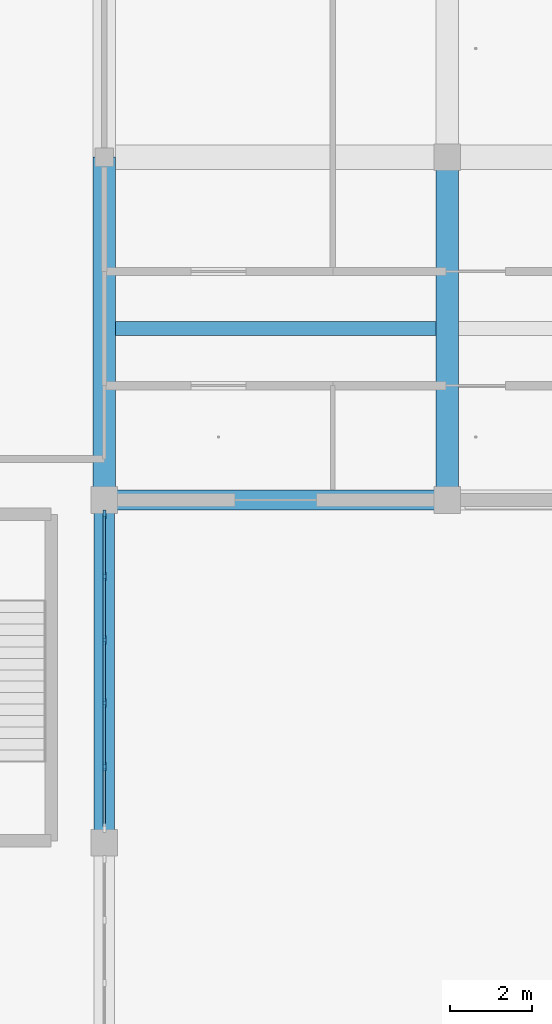
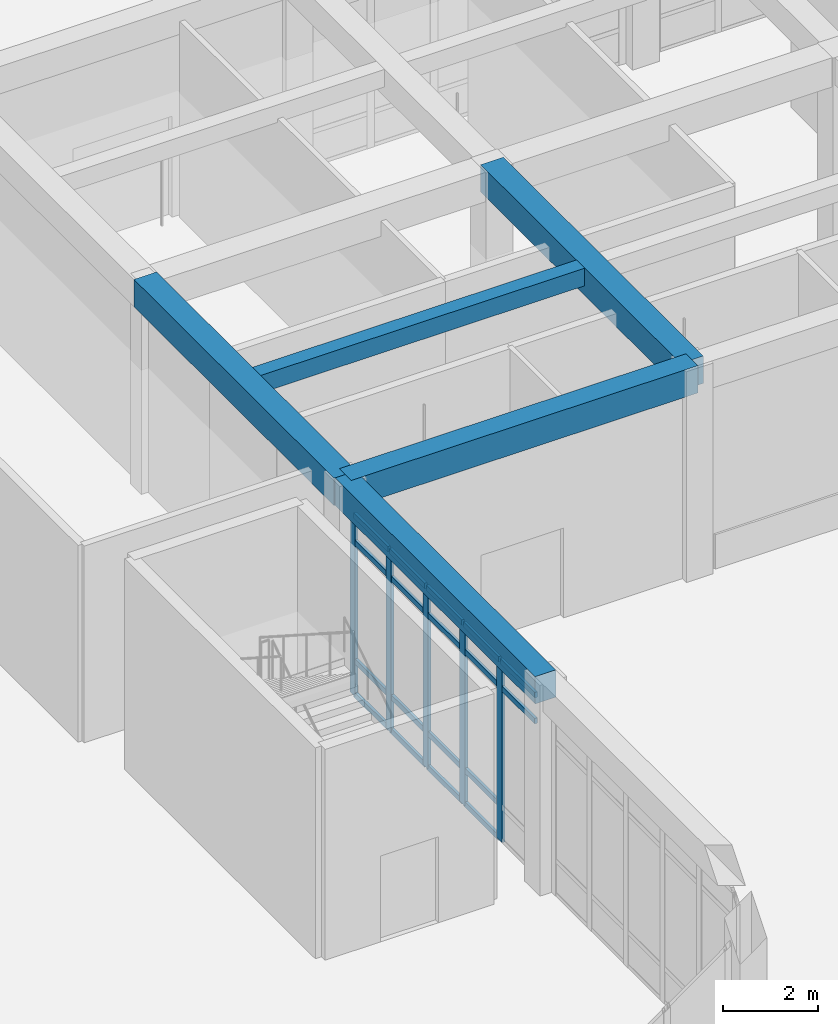
# One storey, part 20 of 167: 23 members, 5 beams, 1 element without a shape of its own.
"""IFC4 building model written with IfcOpenShell, lengths in metres."""

from ifc_helpers import new_model, si_unit, direction, frame, origin, origin_2d, place, context, subcontext, project, spatial, rectangle, extrude, material, material_profile, profile_set, type_object, element, aggregate, save


model = new_model("IFC4")

# Units and contexts
model_context = context("Model", 3, precision=1e-05, world=origin(), true_north=direction((0.0, 1.0)))
body_context = subcontext(model_context, "Body", "Model", "MODEL_VIEW")
ifc_project = project(units=[si_unit("LENGTHUNIT", "METRE"), si_unit("AREAUNIT", "SQUARE_METRE"), si_unit("VOLUMEUNIT", "CUBIC_METRE"), si_unit("PLANEANGLEUNIT", "RADIAN"), si_unit("MASSUNIT", "GRAM", prefix="KILO")], contexts=[model_context])

# Site, building, storey
site_placement = place(None, origin())
site = spatial("IfcSite", under=ifc_project, at=site_placement, CompositionType="ELEMENT")
building_placement = place(site_placement, origin())
building = spatial("IfcBuilding", under=site, at=building_placement, Name="Varncliffe General Hospital", CompositionType="ELEMENT")
storey_placement = place(building_placement, origin())
storey = spatial("IfcBuildingStorey", under=building, at=storey_placement, Name="L00", CompositionType="ELEMENT", Elevation=0.0)

# Beams
ifc_material_1 = material(Name="Concrete C35/45 (CSA A23.1 35 MPa)", Category="concrete")
ifc_material_profile_1 = material_profile(ifc_material_1, rectangle(XDim=0.550048828125, YDim=0.699951171875, at=origin_2d()), Name="RC 550x700")
ifc_profile_set_1 = profile_set([ifc_material_profile_1], Name="Concrete C35/45 (CSA A23.1 35 MPa)")
beam_type_1 = type_object("IfcBeamType", Name="Beam B35 (Int RC 550x700)", PredefinedType="BEAM", material=ifc_profile_set_1)
for number, where, z_axis, x_axis, name in (
    (1, (117.60009765625, 24.0, 5.050048828125), (0.0, 1.0, 0.0), (-1.0, 0.0, 0.0), "L00 Primary Beam B35-418"),
    (2, (126.0, 24.0, 5.050048828125), (0.0, 1.0, 0.0), (-1.0, 0.0, 0.0), "L00 Primary Beam B35-432"),
):
    element("IfcBeam", number, at=place(storey_placement, frame(where, z_axis=z_axis, x_axis=x_axis)), inside=storey, type_object=beam_type_1, Name=name, PredefinedType="BEAM", context=body_context, shape_type="SweptSolid", body=[
        extrude(rectangle(XDim=0.550048828125, YDim=0.699951171875, at=origin_2d()), origin(), (0.0, 0.0, 1.0), 8.39990234375),
    ])

# Curtain wall, members
ifc_material_2 = material(Name="Triple low-E argon insulated vision glazing", Category="glass")
curtain_wall_type = type_object("IfcCurtainWallType", Name="Unitised Glazed Curtain Wall CW66 (7754x4640)", PredefinedType="USERDEFINED", material=ifc_material_2)
curtain_wall_placement = place(storey_placement, origin())
curtain_wall = element("IfcCurtainWall", 3, at=curtain_wall_placement, inside=storey, type_object=curtain_wall_type, Name="L00 Glazed Curtain Wall CW66-6", ObjectType="GLAZED CURTAIN WALL", PredefinedType="USERDEFINED")
ifc_material_3 = material(Name="Dark bronze thermally broken aluminium framing", Category="aluminium")
ifc_material_profile_2 = material_profile(ifc_material_3, rectangle(XDim=0.074951171875, YDim=0.219970703125, at=origin_2d()), Name="ALU 75x220")
ifc_profile_set_2 = profile_set([ifc_material_profile_2], Name="Dark bronze thermally broken aluminium framing")
member_type_1 = type_object("IfcMemberType", Name="Curtain Wall Mullion CM74 (ALU 75x220)", PredefinedType="MULLION", material=ifc_profile_set_2)
member_1_placement = place(storey_placement, frame((117.60009765625, 23.639404296875, 0.0), z_axis=(0.0, 0.0, 1.0), x_axis=(1.0, 0.0, 0.0)))
member_1 = element("IfcMember", 4, at=member_1_placement, type_object=member_type_1, Name="CW66 mullion 1", PredefinedType="MULLION", context=body_context, shape_type="SweptSolid", body=[
    extrude(rectangle(XDim=0.074951171875, YDim=0.219970703125, at=origin_2d()), origin(), (0.0, 0.0, 1.0), 4.639892578125),
])
member_2_placement = place(storey_placement, frame((117.60009765625, 22.126220703125, 0.0), z_axis=(0.0, 0.0, 1.0), x_axis=(1.0, 0.0, 0.0)))
member_2 = element("IfcMember", 5, at=member_2_placement, type_object=member_type_1, Name="CW66 mullion 2", PredefinedType="MULLION", context=body_context, shape_type="SweptSolid", body=[
    extrude(rectangle(XDim=0.074951171875, YDim=0.219970703125, at=origin_2d()), origin(), (0.0, 0.0, 1.0), 4.639892578125),
])
member_3_placement = place(storey_placement, frame((117.60009765625, 20.575439453125, 0.0), z_axis=(0.0, 0.0, 1.0), x_axis=(1.0, 0.0, 0.0)))
member_3 = element("IfcMember", 6, at=member_3_placement, type_object=member_type_1, Name="CW66 mullion 3", PredefinedType="MULLION", context=body_context, shape_type="SweptSolid", body=[
    extrude(rectangle(XDim=0.074951171875, YDim=0.219970703125, at=origin_2d()), origin(), (0.0, 0.0, 1.0), 4.639892578125),
])
member_4_placement = place(storey_placement, frame((117.60009765625, 19.024658203125, 0.0), z_axis=(0.0, 0.0, 1.0), x_axis=(1.0, 0.0, 0.0)))
member_4 = element("IfcMember", 7, at=member_4_placement, type_object=member_type_1, Name="CW66 mullion 4", PredefinedType="MULLION", context=body_context, shape_type="SweptSolid", body=[
    extrude(rectangle(XDim=0.074951171875, YDim=0.219970703125, at=origin_2d()), origin(), (0.0, 0.0, 1.0), 4.639892578125),
])
member_5_placement = place(storey_placement, frame((117.60009765625, 17.473876953125, 0.0), z_axis=(0.0, 0.0, 1.0), x_axis=(1.0, 0.0, 0.0)))
member_5 = element("IfcMember", 8, at=member_5_placement, type_object=member_type_1, Name="CW66 mullion 5", PredefinedType="MULLION", context=body_context, shape_type="SweptSolid", body=[
    extrude(rectangle(XDim=0.074951171875, YDim=0.219970703125, at=origin_2d()), origin(), (0.0, 0.0, 1.0), 4.639892578125),
])
ifc_material_profile_3 = material_profile(ifc_material_3, rectangle(XDim=0.06494140625, YDim=0.139892578125, at=origin_2d()), Name="ALU 65x140")
ifc_profile_set_3 = profile_set([ifc_material_profile_3], Name="Dark bronze thermally broken aluminium framing")
member_type_2 = type_object("IfcMemberType", Name="Curtain Wall Transom CT69 (ALU 65x140)", PredefinedType="USERDEFINED", material=ifc_profile_set_3)
member_6_placement = place(storey_placement, frame((117.60009765625, 23.60205078125, 0.032470703125), z_axis=(0.0, -1.0, 0.0), x_axis=(1.0, 0.0, 0.0)))
member_6 = element("IfcMember", 9, at=member_6_placement, type_object=member_type_2, Name="CW66 transom 1.1", ObjectType="TRANSOM", PredefinedType="USERDEFINED", context=body_context, shape_type="SweptSolid", body=[
    extrude(rectangle(XDim=0.06494140625, YDim=0.139892578125, at=origin_2d()), origin(), (0.0, 0.0, 1.0), 1.438232421875),
])
member_7_placement = place(storey_placement, frame((117.60009765625, 23.60205078125, 0.89990234375), z_axis=(0.0, -1.0, 0.0), x_axis=(1.0, 0.0, 0.0)))
member_7 = element("IfcMember", 10, at=member_7_placement, type_object=member_type_2, Name="CW66 transom 1.2", ObjectType="TRANSOM", PredefinedType="USERDEFINED", context=body_context, shape_type="SweptSolid", body=[
    extrude(rectangle(XDim=0.06494140625, YDim=0.139892578125, at=origin_2d()), origin(), (0.0, 0.0, 1.0), 1.438232421875),
])
member_8_placement = place(storey_placement, frame((117.60009765625, 23.60205078125, 3.93994140625), z_axis=(0.0, -1.0, 0.0), x_axis=(1.0, 0.0, 0.0)))
member_8 = element("IfcMember", 11, at=member_8_placement, type_object=member_type_2, Name="CW66 transom 1.3", ObjectType="TRANSOM", PredefinedType="USERDEFINED", context=body_context, shape_type="SweptSolid", body=[
    extrude(rectangle(XDim=0.06494140625, YDim=0.139892578125, at=origin_2d()), origin(), (0.0, 0.0, 1.0), 1.438232421875),
])
member_9_placement = place(storey_placement, frame((117.60009765625, 23.60205078125, 4.607421875), z_axis=(0.0, -1.0, 0.0), x_axis=(1.0, 0.0, 0.0)))
member_9 = element("IfcMember", 12, at=member_9_placement, type_object=member_type_2, Name="CW66 transom 1.4", ObjectType="TRANSOM", PredefinedType="USERDEFINED", context=body_context, shape_type="SweptSolid", body=[
    extrude(rectangle(XDim=0.06494140625, YDim=0.139892578125, at=origin_2d()), origin(), (0.0, 0.0, 1.0), 1.438232421875),
])
member_10_placement = place(storey_placement, frame((117.60009765625, 22.088623046875, 0.032470703125), z_axis=(0.0, -1.0, 0.0), x_axis=(1.0, 0.0, 0.0)))
member_10 = element("IfcMember", 13, at=member_10_placement, type_object=member_type_2, Name="CW66 transom 2.1", ObjectType="TRANSOM", PredefinedType="USERDEFINED", context=body_context, shape_type="SweptSolid", body=[
    extrude(rectangle(XDim=0.06494140625, YDim=0.139892578125, at=origin_2d()), origin(), (0.0, 0.0, 1.0), 1.475830078125),
])
member_11_placement = place(storey_placement, frame((117.60009765625, 22.088623046875, 0.89990234375), z_axis=(0.0, -1.0, 0.0), x_axis=(1.0, 0.0, 0.0)))
member_11 = element("IfcMember", 14, at=member_11_placement, type_object=member_type_2, Name="CW66 transom 2.2", ObjectType="TRANSOM", PredefinedType="USERDEFINED", context=body_context, shape_type="SweptSolid", body=[
    extrude(rectangle(XDim=0.06494140625, YDim=0.139892578125, at=origin_2d()), origin(), (0.0, 0.0, 1.0), 1.475830078125),
])
member_12_placement = place(storey_placement, frame((117.60009765625, 22.088623046875, 3.93994140625), z_axis=(0.0, -1.0, 0.0), x_axis=(1.0, 0.0, 0.0)))
member_12 = element("IfcMember", 15, at=member_12_placement, type_object=member_type_2, Name="CW66 transom 2.3", ObjectType="TRANSOM", PredefinedType="USERDEFINED", context=body_context, shape_type="SweptSolid", body=[
    extrude(rectangle(XDim=0.06494140625, YDim=0.139892578125, at=origin_2d()), origin(), (0.0, 0.0, 1.0), 1.475830078125),
])
member_13_placement = place(storey_placement, frame((117.60009765625, 22.088623046875, 4.607421875), z_axis=(0.0, -1.0, 0.0), x_axis=(1.0, 0.0, 0.0)))
member_13 = element("IfcMember", 16, at=member_13_placement, type_object=member_type_2, Name="CW66 transom 2.4", ObjectType="TRANSOM", PredefinedType="USERDEFINED", context=body_context, shape_type="SweptSolid", body=[
    extrude(rectangle(XDim=0.06494140625, YDim=0.139892578125, at=origin_2d()), origin(), (0.0, 0.0, 1.0), 1.475830078125),
])
member_14_placement = place(storey_placement, frame((117.60009765625, 20.537841796875, 0.032470703125), z_axis=(0.0, -1.0, 0.0), x_axis=(1.0, 0.0, 0.0)))
member_14 = element("IfcMember", 17, at=member_14_placement, type_object=member_type_2, Name="CW66 transom 3.1", ObjectType="TRANSOM", PredefinedType="USERDEFINED", context=body_context, shape_type="SweptSolid", body=[
    extrude(rectangle(XDim=0.06494140625, YDim=0.139892578125, at=origin_2d()), origin(), (0.0, 0.0, 1.0), 1.475830078125),
])
member_15_placement = place(storey_placement, frame((117.60009765625, 20.537841796875, 0.89990234375), z_axis=(0.0, -1.0, 0.0), x_axis=(1.0, 0.0, 0.0)))
member_15 = element("IfcMember", 18, at=member_15_placement, type_object=member_type_2, Name="CW66 transom 3.2", ObjectType="TRANSOM", PredefinedType="USERDEFINED", context=body_context, shape_type="SweptSolid", body=[
    extrude(rectangle(XDim=0.06494140625, YDim=0.139892578125, at=origin_2d()), origin(), (0.0, 0.0, 1.0), 1.475830078125),
])
member_16_placement = place(storey_placement, frame((117.60009765625, 20.537841796875, 3.93994140625), z_axis=(0.0, -1.0, 0.0), x_axis=(1.0, 0.0, 0.0)))
member_16 = element("IfcMember", 19, at=member_16_placement, type_object=member_type_2, Name="CW66 transom 3.3", ObjectType="TRANSOM", PredefinedType="USERDEFINED", context=body_context, shape_type="SweptSolid", body=[
    extrude(rectangle(XDim=0.06494140625, YDim=0.139892578125, at=origin_2d()), origin(), (0.0, 0.0, 1.0), 1.475830078125),
])
member_17_placement = place(storey_placement, frame((117.60009765625, 20.537841796875, 4.607421875), z_axis=(0.0, -1.0, 0.0), x_axis=(1.0, 0.0, 0.0)))
member_17 = element("IfcMember", 20, at=member_17_placement, type_object=member_type_2, Name="CW66 transom 3.4", ObjectType="TRANSOM", PredefinedType="USERDEFINED", context=body_context, shape_type="SweptSolid", body=[
    extrude(rectangle(XDim=0.06494140625, YDim=0.139892578125, at=origin_2d()), origin(), (0.0, 0.0, 1.0), 1.475830078125),
])
member_18_placement = place(storey_placement, frame((117.60009765625, 18.987060546875, 0.032470703125), z_axis=(0.0, -1.0, 0.0), x_axis=(1.0, 0.0, 0.0)))
member_18 = element("IfcMember", 21, at=member_18_placement, type_object=member_type_2, Name="CW66 transom 4.1", ObjectType="TRANSOM", PredefinedType="USERDEFINED", context=body_context, shape_type="SweptSolid", body=[
    extrude(rectangle(XDim=0.06494140625, YDim=0.139892578125, at=origin_2d()), origin(), (0.0, 0.0, 1.0), 1.475830078125),
])
member_19_placement = place(storey_placement, frame((117.60009765625, 18.987060546875, 0.89990234375), z_axis=(0.0, -1.0, 0.0), x_axis=(1.0, 0.0, 0.0)))
member_19 = element("IfcMember", 22, at=member_19_placement, type_object=member_type_2, Name="CW66 transom 4.2", ObjectType="TRANSOM", PredefinedType="USERDEFINED", context=body_context, shape_type="SweptSolid", body=[
    extrude(rectangle(XDim=0.06494140625, YDim=0.139892578125, at=origin_2d()), origin(), (0.0, 0.0, 1.0), 1.475830078125),
])
member_20_placement = place(storey_placement, frame((117.60009765625, 18.987060546875, 3.93994140625), z_axis=(0.0, -1.0, 0.0), x_axis=(1.0, 0.0, 0.0)))
member_20 = element("IfcMember", 23, at=member_20_placement, type_object=member_type_2, Name="CW66 transom 4.3", ObjectType="TRANSOM", PredefinedType="USERDEFINED", context=body_context, shape_type="SweptSolid", body=[
    extrude(rectangle(XDim=0.06494140625, YDim=0.139892578125, at=origin_2d()), origin(), (0.0, 0.0, 1.0), 1.475830078125),
])
member_21_placement = place(storey_placement, frame((117.60009765625, 18.987060546875, 4.607421875), z_axis=(0.0, -1.0, 0.0), x_axis=(1.0, 0.0, 0.0)))
member_21 = element("IfcMember", 24, at=member_21_placement, type_object=member_type_2, Name="CW66 transom 4.4", ObjectType="TRANSOM", PredefinedType="USERDEFINED", context=body_context, shape_type="SweptSolid", body=[
    extrude(rectangle(XDim=0.06494140625, YDim=0.139892578125, at=origin_2d()), origin(), (0.0, 0.0, 1.0), 1.475830078125),
])
member_22_placement = place(storey_placement, frame((117.60009765625, 17.436279296875, 3.93994140625), z_axis=(0.0, -1.0, 0.0), x_axis=(1.0, 0.0, 0.0)))
member_22 = element("IfcMember", 25, at=member_22_placement, type_object=member_type_2, Name="CW66 transom 5.3", ObjectType="TRANSOM", PredefinedType="USERDEFINED", context=body_context, shape_type="SweptSolid", body=[
    extrude(rectangle(XDim=0.06494140625, YDim=0.139892578125, at=origin_2d()), origin(), (0.0, 0.0, 1.0), 1.438232421875),
])
member_23_placement = place(storey_placement, frame((117.60009765625, 17.436279296875, 4.607421875), z_axis=(0.0, -1.0, 0.0), x_axis=(1.0, 0.0, 0.0)))
member_23 = element("IfcMember", 26, at=member_23_placement, type_object=member_type_2, Name="CW66 transom 5.4", ObjectType="TRANSOM", PredefinedType="USERDEFINED", context=body_context, shape_type="SweptSolid", body=[
    extrude(rectangle(XDim=0.06494140625, YDim=0.139892578125, at=origin_2d()), origin(), (0.0, 0.0, 1.0), 1.438232421875),
])
aggregate(curtain_wall, [member_1, member_2, member_3, member_4, member_5, member_6, member_7, member_8, member_9, member_10, member_11, member_12, member_13, member_14, member_15, member_16, member_17, member_18, member_19, member_20, member_21, member_22, member_23])

# Beams
ifc_material_profile_4 = material_profile(ifc_material_1, rectangle(XDim=0.35009765625, YDim=0.449951171875, at=origin_2d()), Name="RC 350x450")
ifc_profile_set_4 = profile_set([ifc_material_profile_4], Name="Concrete C35/45 (CSA A23.1 35 MPa)")
beam_type_2 = type_object("IfcBeamType", Name="Joist J55 (Int RC 350x450)", PredefinedType="JOIST", material=ifc_profile_set_4)
beam_placement = place(storey_placement, frame((117.873046875, 28.199951171875, 5.175048828125), z_axis=(1.0, 0.0, 0.0), x_axis=(0.0, 1.0, 0.0)))
element("IfcBeam", 27, at=beam_placement, inside=storey, type_object=beam_type_2, Name="L00 Secondary Floor Rib J55-57", PredefinedType="JOIST", context=body_context, shape_type="SweptSolid", body=[
    extrude(rectangle(XDim=0.35009765625, YDim=0.449951171875, at=origin_2d()), origin(), (0.0, 0.0, 1.0), 7.85400390625),
])
ifc_material_profile_5 = material_profile(ifc_material_1, rectangle(XDim=0.5, YDim=0.699951171875, at=origin_2d()), Name="RC 500x700")
ifc_profile_set_5 = profile_set([ifc_material_profile_5], Name="Concrete C35/45 (CSA A23.1 35 MPa)")
beam_type_3 = type_object("IfcBeamType", Name="Spandrel SP19 (Ext RC 500x700)", PredefinedType="SPANDREL", material=ifc_profile_set_5)
for number, where, z_axis, x_axis, name in (
    (28, (117.60009765625, 24.0, 5.050048828125), (1.0, 0.0, 0.0), (0.0, 1.0, 0.0), "L00 Spandrel Beam SP19-33"),
    (29, (117.60009765625, 15.60009765625, 5.050048828125), (0.0, 1.0, 0.0), (-1.0, 0.0, 0.0), "L00 Spandrel Beam SP19-417"),
):
    element("IfcBeam", number, at=place(storey_placement, frame(where, z_axis=z_axis, x_axis=x_axis)), inside=storey, type_object=beam_type_3, Name=name, PredefinedType="SPANDREL", context=body_context, shape_type="SweptSolid", body=[
        extrude(rectangle(XDim=0.5, YDim=0.699951171875, at=origin_2d()), origin(), (0.0, 0.0, 1.0), 8.39990234375),
    ])

save(model, "model.ifc")
